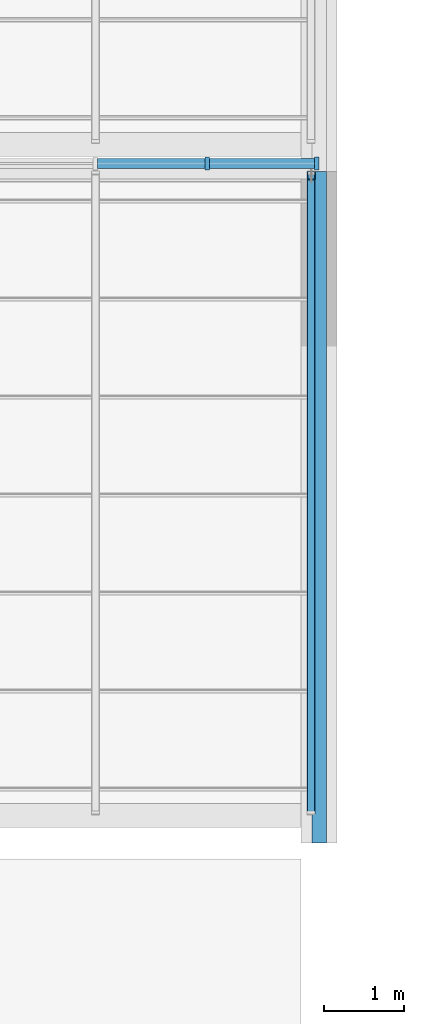
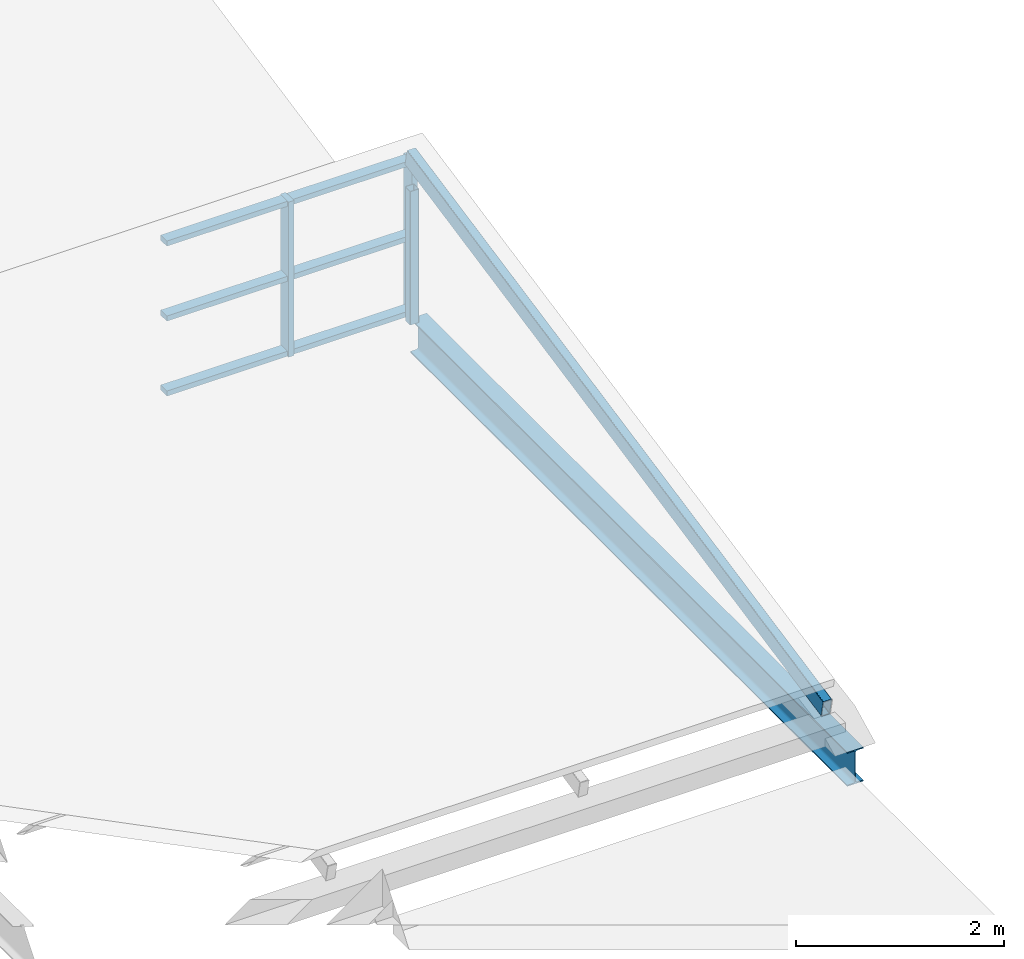
# One storey, part 25 of 121: 10 members, 1 beam, 1 element without a shape of its own.
"""IFC4 building model written with IfcOpenShell, lengths in metres."""

from ifc_helpers import new_model, si_unit, direction, frame, origin, origin_2d, place, context, subcontext, project, spatial, rectangle, hollow_rectangle, i_section, extrude, material, layer, layer_set, material_profile, profile_set, type_object, element, aggregate, save


model = new_model("IFC4")

# Units and contexts
model_context = context("Model", 3, precision=1e-05, world=origin(), true_north=direction((0.0, 1.0)))
body_context = subcontext(model_context, "Body", "Model", "MODEL_VIEW")
ifc_project = project(units=[si_unit("LENGTHUNIT", "METRE"), si_unit("AREAUNIT", "SQUARE_METRE"), si_unit("VOLUMEUNIT", "CUBIC_METRE"), si_unit("PLANEANGLEUNIT", "RADIAN"), si_unit("MASSUNIT", "GRAM", prefix="KILO")], contexts=[model_context])

# Site, building, storey
site_placement = place(None, origin())
site = spatial("IfcSite", under=ifc_project, at=site_placement, CompositionType="ELEMENT")
building_placement = place(site_placement, origin())
building = spatial("IfcBuilding", under=site, at=building_placement, Name="Ardhachandra Cancer Care Centre", CompositionType="ELEMENT")
storey_placement = place(building_placement, frame((0.0, 0.0, 9.0)))
storey = spatial("IfcBuildingStorey", under=building, at=storey_placement, Name="L02", CompositionType="ELEMENT", Elevation=9.0)

# Beam
ifc_material_1 = material(Name="Steel E350 (IS 2062)", Category="steel")
ifc_material_profile_1 = material_profile(ifc_material_1, i_section(OverallWidth=0.179931640625, OverallDepth=0.39990234375, WebThickness=0.008544921875, FlangeThickness=0.013427734375, FilletRadius=0.02099609375, at=origin_2d()), Name="NPB 400x180x66.30")
ifc_profile_set_1 = profile_set([ifc_material_profile_1], Name="Steel E350 (IS 2062)")
beam_type = type_object("IfcBeamType", Name="Beam NPB 400x180x66.30", PredefinedType="BEAM", material=ifc_profile_set_1)
beam_placement = place(storey_placement, frame((44.39990234375, 37.800048828125, -0.199951171875), z_axis=(0.0, 1.0, 0.0), x_axis=(-1.0, 0.0, 0.0)))
element("IfcBeam", 1, at=beam_placement, inside=storey, type_object=beam_type, Name="Roof girder D5-E5", PredefinedType="BEAM", context=body_context, shape_type="SweptSolid", body=[
    extrude(i_section(OverallWidth=0.179931640625, OverallDepth=0.39990234375, WebThickness=0.008544921875, FlangeThickness=0.013427734375, FilletRadius=0.02099609375, at=origin_2d()), origin(), (0.0, 0.0, 1.0), 8.39990234375),
])

# Curtain wall, members
ifc_material_2 = material(Name="Aluminium extrusion", Category="aluminium")
ifc_layer = layer(ifc_material_2, 0.14990234375)
ifc_layer_set = layer_set([ifc_layer], Name="Aluminium extrusion")
curtain_wall_type = type_object("IfcCurtainWallType", Name="Curtain wall run", PredefinedType="NOTDEFINED", material=ifc_layer_set)
curtain_wall_placement = place(storey_placement, origin())
curtain_wall = element("IfcCurtainWall", 2, at=curtain_wall_placement, inside=storey, type_object=curtain_wall_type, Name="Curtain wall L02 n/0010800_0046300", PredefinedType="NOTDEFINED")
ifc_material_3 = material(Name="Aluminium extrusion", Category="aluminium")
ifc_material_profile_2 = material_profile(ifc_material_3, rectangle(XDim=0.159912109375, YDim=0.06005859375, at=origin_2d()), Name="Curtain wall mullion 60 x 160")
ifc_profile_set_2 = profile_set([ifc_material_profile_2], Name="Aluminium extrusion")
member_type_1 = type_object("IfcMemberType", Name="Curtain wall mullion 60 x 160", PredefinedType="MULLION", material=ifc_profile_set_2)
member_1_placement = place(storey_placement, frame((43.0, 46.300048828125, 0.0), z_axis=(0.0, 0.0, 1.0), x_axis=(0.0, 1.0, 0.0)))
member_1 = element("IfcMember", 3, at=member_1_placement, type_object=member_type_1, Name="CW mullion 24", PredefinedType="MULLION", context=body_context, shape_type="SweptSolid", body=[
    extrude(rectangle(XDim=0.159912109375, YDim=0.06005859375, at=origin_2d()), origin(), (0.0, 0.0, 1.0), 1.820068359375),
])
member_2_placement = place(storey_placement, frame((44.3701171875, 46.300048828125, 0.0), z_axis=(0.0, 0.0, 1.0), x_axis=(0.0, 1.0, 0.0)))
member_2 = element("IfcMember", 4, at=member_2_placement, type_object=member_type_1, Name="CW mullion 25", PredefinedType="MULLION", context=body_context, shape_type="SweptSolid", body=[
    extrude(rectangle(XDim=0.159912109375, YDim=0.06005859375, at=origin_2d()), origin(), (0.0, 0.0, 1.0), 1.820068359375),
])
ifc_material_4 = material(Name="Aluminium extrusion", Category="aluminium")
ifc_material_profile_3 = material_profile(ifc_material_4, rectangle(XDim=0.1201171875, YDim=0.06005859375, at=origin_2d()), Name="Curtain wall transom 60 x 120")
ifc_profile_set_3 = profile_set([ifc_material_profile_3], Name="Aluminium extrusion")
member_type_2 = type_object("IfcMemberType", Name="Curtain wall transom 60 x 120", PredefinedType="USERDEFINED", material=ifc_profile_set_3)
member_3_placement = place(storey_placement, frame((41.6298828125, 46.300048828125, 0.030029296875), z_axis=(1.0, 0.0, 0.0), x_axis=(0.0, 1.0, 0.0)))
member_3 = element("IfcMember", 5, at=member_3_placement, type_object=member_type_2, Name="CW transom 23.1", ObjectType="TRANSOM", PredefinedType="USERDEFINED", context=body_context, shape_type="SweptSolid", body=[
    extrude(rectangle(XDim=0.1201171875, YDim=0.06005859375, at=origin_2d()), origin(), (0.0, 0.0, 1.0), 1.340087890625),
])
member_4_placement = place(storey_placement, frame((41.6298828125, 46.300048828125, 0.909912109375), z_axis=(1.0, 0.0, 0.0), x_axis=(0.0, 1.0, 0.0)))
member_4 = element("IfcMember", 6, at=member_4_placement, type_object=member_type_2, Name="CW transom 23.2", ObjectType="TRANSOM", PredefinedType="USERDEFINED", context=body_context, shape_type="SweptSolid", body=[
    extrude(rectangle(XDim=0.1201171875, YDim=0.06005859375, at=origin_2d()), origin(), (0.0, 0.0, 1.0), 1.340087890625),
])
member_5_placement = place(storey_placement, frame((41.6298828125, 46.300048828125, 1.7900390625), z_axis=(1.0, 0.0, 0.0), x_axis=(0.0, 1.0, 0.0)))
member_5 = element("IfcMember", 7, at=member_5_placement, type_object=member_type_2, Name="CW transom 23.3", ObjectType="TRANSOM", PredefinedType="USERDEFINED", context=body_context, shape_type="SweptSolid", body=[
    extrude(rectangle(XDim=0.1201171875, YDim=0.06005859375, at=origin_2d()), origin(), (0.0, 0.0, 1.0), 1.340087890625),
])
member_6_placement = place(storey_placement, frame((43.030029296875, 46.300048828125, 0.030029296875), z_axis=(1.0, 0.0, 0.0), x_axis=(0.0, 1.0, 0.0)))
member_6 = element("IfcMember", 8, at=member_6_placement, type_object=member_type_2, Name="CW transom 24.1", ObjectType="TRANSOM", PredefinedType="USERDEFINED", context=body_context, shape_type="SweptSolid", body=[
    extrude(rectangle(XDim=0.1201171875, YDim=0.06005859375, at=origin_2d()), origin(), (0.0, 0.0, 1.0), 1.31005859375),
])
member_7_placement = place(storey_placement, frame((43.030029296875, 46.300048828125, 0.909912109375), z_axis=(1.0, 0.0, 0.0), x_axis=(0.0, 1.0, 0.0)))
member_7 = element("IfcMember", 9, at=member_7_placement, type_object=member_type_2, Name="CW transom 24.2", ObjectType="TRANSOM", PredefinedType="USERDEFINED", context=body_context, shape_type="SweptSolid", body=[
    extrude(rectangle(XDim=0.1201171875, YDim=0.06005859375, at=origin_2d()), origin(), (0.0, 0.0, 1.0), 1.31005859375),
])
member_8_placement = place(storey_placement, frame((43.030029296875, 46.300048828125, 1.7900390625), z_axis=(1.0, 0.0, 0.0), x_axis=(0.0, 1.0, 0.0)))
member_8 = element("IfcMember", 10, at=member_8_placement, type_object=member_type_2, Name="CW transom 24.3", ObjectType="TRANSOM", PredefinedType="USERDEFINED", context=body_context, shape_type="SweptSolid", body=[
    extrude(rectangle(XDim=0.1201171875, YDim=0.06005859375, at=origin_2d()), origin(), (0.0, 0.0, 1.0), 1.31005859375),
])
aggregate(curtain_wall, [member_1, member_2, member_3, member_4, member_5, member_6, member_7, member_8])

# Members
ifc_material_5 = material(Name="Steel E350 (IS 2062)", Category="steel")
ifc_material_profile_4 = material_profile(ifc_material_5, hollow_rectangle(XDim=0.10009765625, YDim=0.199951171875, WallThickness=0.006103515625, InnerFilletRadius=0.006103515625, OuterFilletRadius=0.011962890625, at=origin_2d()), Name="RHS 200x100x6.0")
ifc_profile_set_4 = profile_set([ifc_material_profile_4], Name="Steel E350 (IS 2062)")
member_type_3 = type_object("IfcMemberType", Name="Roof rafter RHS 200x100x6.0", PredefinedType="RAFTER", material=ifc_profile_set_4)
member_9_placement = place(storey_placement, frame((44.300048828125, 38.18017578125, 0.298095703125), z_axis=(0.0, 0.980109665583, 0.198456653782), x_axis=(-1.0, 0.0, 0.0)))
element("IfcMember", 11, at=member_9_placement, inside=storey, type_object=member_type_3, Name="Rafter T2a.13", PredefinedType="RAFTER", context=body_context, shape_type="SweptSolid", body=[
    extrude(hollow_rectangle(XDim=0.10009765625, YDim=0.199951171875, WallThickness=0.006103515625, InnerFilletRadius=0.006103515625, OuterFilletRadius=0.011962890625, at=origin_2d()), origin(), (0.0, 0.0, 1.0), 8.162353515625),
])
ifc_material_6 = material(Name="Steel E350 (IS 2062)", Category="steel")
ifc_material_profile_5 = material_profile(ifc_material_6, hollow_rectangle(XDim=0.10009765625, YDim=0.10009765625, WallThickness=0.0048828125, InnerFilletRadius=0.0048828125, OuterFilletRadius=0.010009765625, at=origin_2d()), Name="SHS 100x100x5.0")
ifc_profile_set_5 = profile_set([ifc_material_profile_5], Name="Steel E350 (IS 2062)")
member_type_4 = type_object("IfcMemberType", Name="Sawtooth ridge post SHS 100x100x5.0", PredefinedType="POST", material=ifc_profile_set_5)
member_10_placement = place(storey_placement, frame((44.300048828125, 46.14990234375, 0.0), z_axis=(0.0, 0.0, 1.0), x_axis=(1.0, 0.0, 0.0)))
element("IfcMember", 12, at=member_10_placement, inside=storey, type_object=member_type_4, Name="Ridge post T2a.5", PredefinedType="POST", context=body_context, shape_type="SweptSolid", body=[
    extrude(hollow_rectangle(XDim=0.10009765625, YDim=0.10009765625, WallThickness=0.0048828125, InnerFilletRadius=0.0048828125, OuterFilletRadius=0.010009765625, at=origin_2d()), origin(), (0.0, 0.0, 1.0), 1.5673828125),
])

save(model, "model.ifc")
